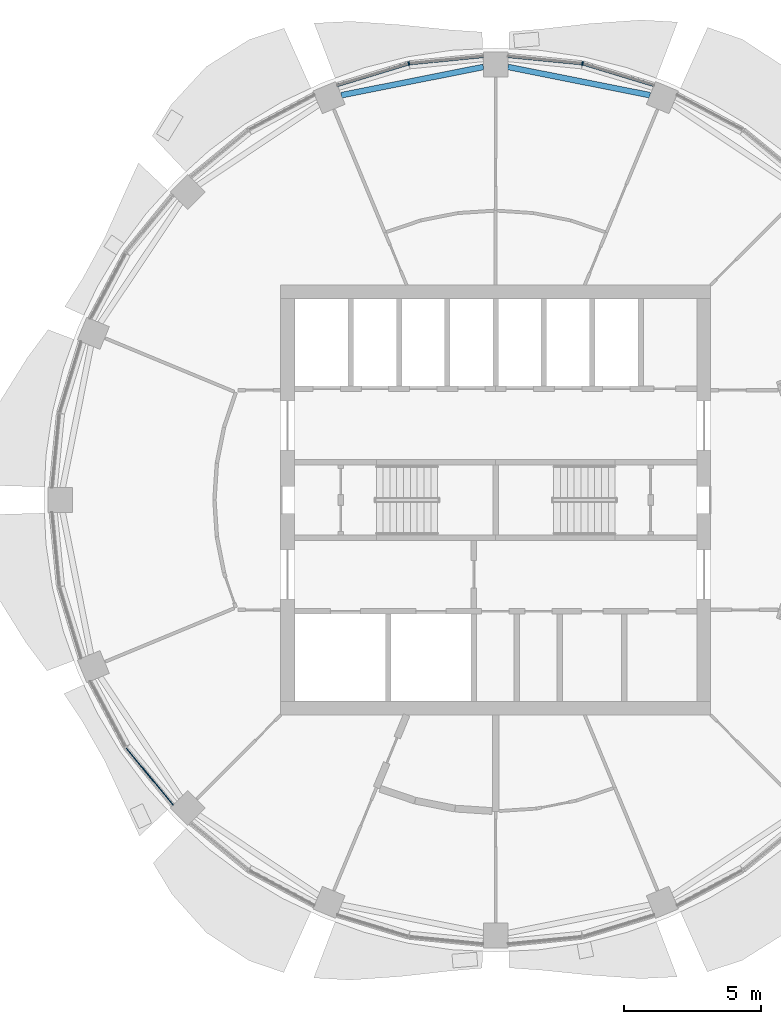
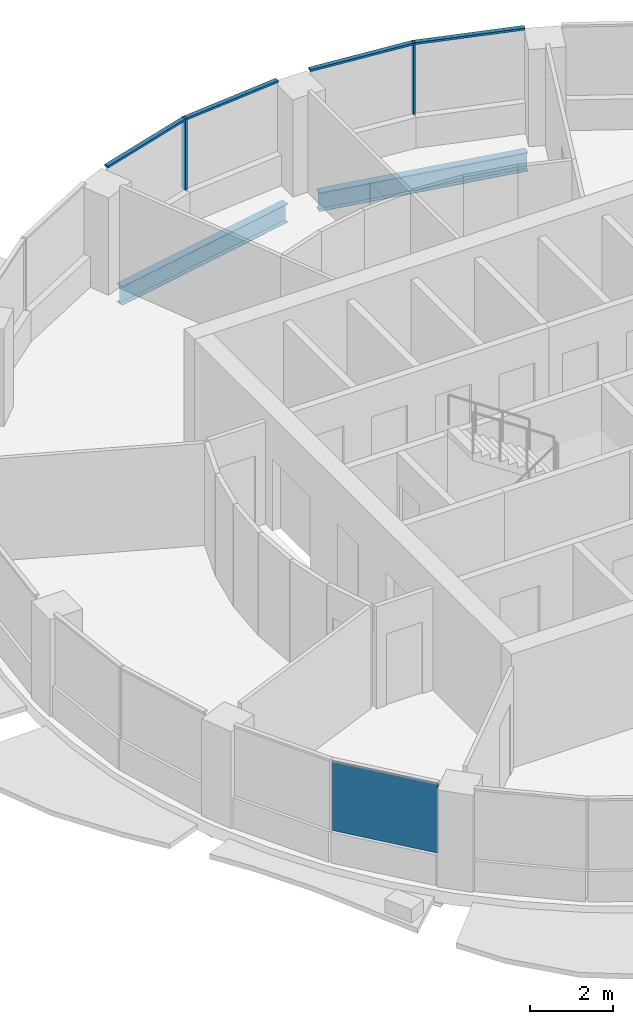
# One storey, part 6 of 15: 6 members, 2 beams, 1 plate, 3 elements without a shape of their own.
"""IFC4 building model written with IfcOpenShell, lengths in metres."""

from ifc_helpers import new_model, si_unit, direction, frame, origin, origin_2d, place, context, subcontext, project, spatial, rectangle, i_section, extrude, material, layer, layer_set, material_profile, profile_set, type_object, element, aggregate, save


model = new_model("IFC4")

# Units and contexts
model_context = context("Model", 3, precision=1e-05, world=origin(), true_north=direction((0.0, 1.0)))
body_context = subcontext(model_context, "Body", "Model", "MODEL_VIEW")
ifc_project = project(units=[si_unit("LENGTHUNIT", "METRE"), si_unit("AREAUNIT", "SQUARE_METRE"), si_unit("VOLUMEUNIT", "CUBIC_METRE"), si_unit("PLANEANGLEUNIT", "RADIAN"), si_unit("MASSUNIT", "GRAM", prefix="KILO")], contexts=[model_context])

# Site, building, storey
site_placement = place(None, origin())
site = spatial("IfcSite", under=ifc_project, at=site_placement, CompositionType="ELEMENT")
building_placement = place(site_placement, origin())
building = spatial("IfcBuilding", under=site, at=building_placement, Name="Polderwave Tower", CompositionType="ELEMENT")
storey_placement = place(building_placement, frame((0.0, 0.0, 211.10009765625)))
storey = spatial("IfcBuildingStorey", under=building, at=storey_placement, Name="L57", CompositionType="ELEMENT", Elevation=211.10009765625)

# Curtain wall, member
ifc_material_1 = material(Name="Aluminium 6063-T6 and glass", Category="aluminium")
curtain_wall_type = type_object("IfcCurtainWallType", Name="Office ribbon glazing wall", PredefinedType="NOTDEFINED", material=ifc_material_1)
curtain_wall_1_placement = place(storey_placement, origin())
curtain_wall_1 = element("IfcCurtainWall", 1, at=curtain_wall_1_placement, inside=storey, type_object=curtain_wall_type, Name="CW3 L57 03", PredefinedType="NOTDEFINED")
ifc_material_2 = material(Name="Aluminium 6063-T6", Category="aluminium")
ifc_material_profile_1 = material_profile(ifc_material_2, rectangle(XDim=0.139892578125, YDim=0.054931640625, at=origin_2d()), Name="AL 55x140")
ifc_profile_set_1 = profile_set([ifc_material_profile_1], Name="Aluminium 6063-T6")
member_type_1 = type_object("IfcMemberType", Name="Office ribbon glazing mullion 55x140", PredefinedType="MULLION", material=ifc_profile_set_1)
member_1_placement = place(storey_placement, frame((3.179931640625, 15.987060546875, 0.89990234375), z_axis=(0.0, 0.0, 1.0), x_axis=(-0.195234110551, -0.980756668128, 0.0)))
member_1 = element("IfcMember", 2, at=member_1_placement, type_object=member_type_1, Name="CW3 mullion 1", PredefinedType="MULLION", context=body_context, shape_type="SweptSolid", body=[
    extrude(rectangle(XDim=0.139892578125, YDim=0.054931640625, at=origin_2d()), origin(), (0.0, 0.0, 1.0), 2.10009765625),
])

curtain_wall_2_placement = place(storey_placement, origin())
curtain_wall_2 = element("IfcCurtainWall", 3, at=curtain_wall_2_placement, inside=storey, type_object=curtain_wall_type, Name="CW3 L57 04", PredefinedType="NOTDEFINED")
member_2_placement = place(storey_placement, frame((-3.179931640625, 15.987060546875, 0.89990234375), z_axis=(0.0, 0.0, 1.0), x_axis=(0.195234110551, -0.980756668128, 0.0)))
member_2 = element("IfcMember", 4, at=member_2_placement, type_object=member_type_1, Name="CW3 mullion 1", PredefinedType="MULLION", context=body_context, shape_type="SweptSolid", body=[
    extrude(rectangle(XDim=0.139892578125, YDim=0.054931640625, at=origin_2d()), origin(), (0.0, 0.0, 1.0), 2.10009765625),
])

# Member
ifc_material_profile_2 = material_profile(ifc_material_2, rectangle(XDim=0.1201171875, YDim=0.06005859375, at=origin_2d()), Name="AL 60x120")
ifc_profile_set_2 = profile_set([ifc_material_profile_2], Name="Aluminium 6063-T6")
member_type_2 = type_object("IfcMemberType", Name="Office ribbon glazing transom 60x120", PredefinedType="USERDEFINED", material=ifc_profile_set_2)
member_3_placement = place(storey_placement, frame((5.804931640625, 15.18994140625, 2.969970703125), z_axis=(-0.956860941533, 0.290546276121, 0.0), x_axis=(-0.290546276121, -0.956860941533, 0.0)))
member_3 = element("IfcMember", 5, at=member_3_placement, type_object=member_type_2, Name="CW3 transom 1", ObjectType="TRANSOM", PredefinedType="USERDEFINED", context=body_context, shape_type="SweptSolid", body=[
    extrude(rectangle(XDim=0.1201171875, YDim=0.06005859375, at=origin_2d()), origin(), (0.0, 0.0, 1.0), 2.7158203125),
])

member_4_placement = place(storey_placement, frame((3.152587890625, 15.98974609375, 2.969970703125), z_axis=(-0.995178584846, 0.09807947932, 0.0), x_axis=(-0.09807947932, -0.995178584846, 0.0)))
member_4 = element("IfcMember", 6, at=member_4_placement, type_object=member_type_2, Name="CW3 transom 2", ObjectType="TRANSOM", PredefinedType="USERDEFINED", context=body_context, shape_type="SweptSolid", body=[
    extrude(rectangle(XDim=0.1201171875, YDim=0.06005859375, at=origin_2d()), origin(), (0.0, 0.0, 1.0), 2.7158203125),
])

aggregate(curtain_wall_1, [member_1, member_3, member_4])

member_5_placement = place(storey_placement, frame((-0.449951171875, 16.256103515625, 2.969970703125), z_axis=(-0.995178584846, -0.09807947932, 0.0), x_axis=(0.09807947932, -0.995178584846, 0.0)))
member_5 = element("IfcMember", 7, at=member_5_placement, type_object=member_type_2, Name="CW3 transom 1", ObjectType="TRANSOM", PredefinedType="USERDEFINED", context=body_context, shape_type="SweptSolid", body=[
    extrude(rectangle(XDim=0.1201171875, YDim=0.06005859375, at=origin_2d()), origin(), (0.0, 0.0, 1.0), 2.7158203125),
])

member_6_placement = place(storey_placement, frame((-3.206298828125, 15.97900390625, 2.969970703125), z_axis=(-0.956860941533, -0.290546276121, 0.0), x_axis=(0.290546276121, -0.956860941533, 0.0)))
member_6 = element("IfcMember", 8, at=member_6_placement, type_object=member_type_2, Name="CW3 transom 2", ObjectType="TRANSOM", PredefinedType="USERDEFINED", context=body_context, shape_type="SweptSolid", body=[
    extrude(rectangle(XDim=0.1201171875, YDim=0.06005859375, at=origin_2d()), origin(), (0.0, 0.0, 1.0), 2.7158203125),
])

aggregate(curtain_wall_2, [member_2, member_5, member_6])

# Beams
ifc_material_3 = material(Name="Steel S355", Category="steel")
ifc_material_profile_3 = material_profile(ifc_material_3, i_section(OverallWidth=0.2099609375, OverallDepth=0.550048828125, WebThickness=0.010986328125, FlangeThickness=0.01708984375, at=origin_2d()), Name="IPE 550")
ifc_profile_set_3 = profile_set([ifc_material_profile_3], Name="Steel S355")
beam_type = type_object("IfcBeamType", Name="RING BEAM IPE 550", PredefinedType="BEAM", material=ifc_profile_set_3)
for number, where, z_axis, x_axis, name in (
    (9, (5.65380859375, 14.825439453125, -0.625), (-0.980783670147, 0.195098417144, 0.0), (-0.195098417144, -0.980783670147, 0.0), "ST-RB-L57-03"),
    (10, (-0.449951171875, 15.860595703125, -0.625), (-0.980783670147, -0.195098417144, 0.0), (0.195098417144, -0.980783670147, 0.0), "ST-RB-L57-04"),
):
    element("IfcBeam", number, at=place(storey_placement, frame(where, z_axis=z_axis, x_axis=x_axis)), inside=storey, type_object=beam_type, Name=name, PredefinedType="BEAM", context=body_context, shape_type="SweptSolid", body=[
        extrude(i_section(OverallWidth=0.2099609375, OverallDepth=0.550048828125, WebThickness=0.010986328125, FlangeThickness=0.01708984375, at=origin_2d()), origin(), (0.0, 0.0, 1.0), 5.305908203125),
    ])

# Curtain wall, plate
curtain_wall_3_placement = place(storey_placement, origin())
curtain_wall_3 = element("IfcCurtainWall", 11, at=curtain_wall_3_placement, inside=storey, type_object=curtain_wall_type, Name="CW3 L57 09", PredefinedType="NOTDEFINED")
ifc_material_4 = material(Name="Glass, low-e laminated double glazing", Category="glass")
ifc_layer = layer(ifc_material_4, 0.031982421875)
ifc_layer_set = layer_set([ifc_layer], Name="Office ribbon glazing glass panel 32 mm")
plate_type = type_object("IfcPlateType", Name="Office ribbon glazing glass panel 32 mm", PredefinedType="CURTAIN_PANEL", material=ifc_layer_set)
plate_placement = place(storey_placement, frame((-12.67431640625, -10.126708984375, 0.89990234375), z_axis=(0.0, 0.0, 1.0), x_axis=(0.634428361612, -0.772981664713, 0.0)))
plate = element("IfcPlate", 12, at=plate_placement, type_object=plate_type, Name="CW3 panel 2", PredefinedType="CURTAIN_PANEL", context=body_context, shape_type="SweptSolid", body=[
    extrude(rectangle(XDim=2.715087890625, YDim=0.031982421875, at=origin_2d()), origin(), (0.0, 0.0, 1.0), 2.0400390625),
])
aggregate(curtain_wall_3, [plate])

save(model, "model.ifc")
